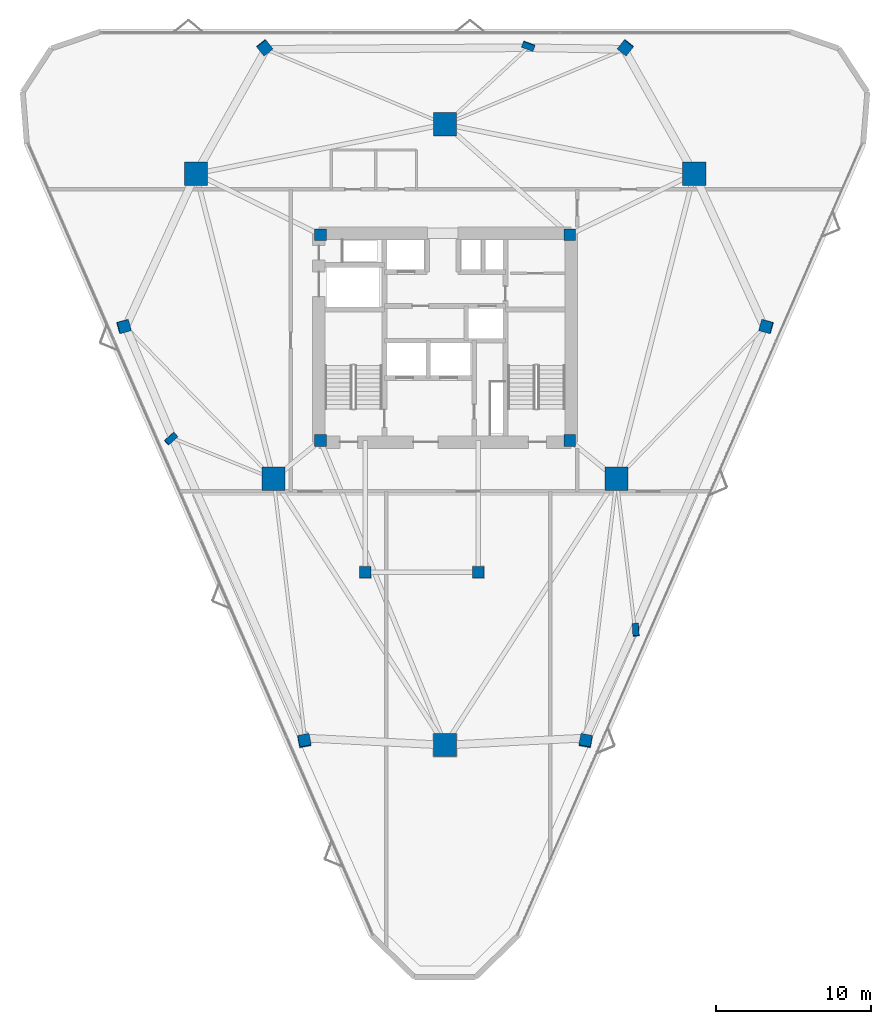
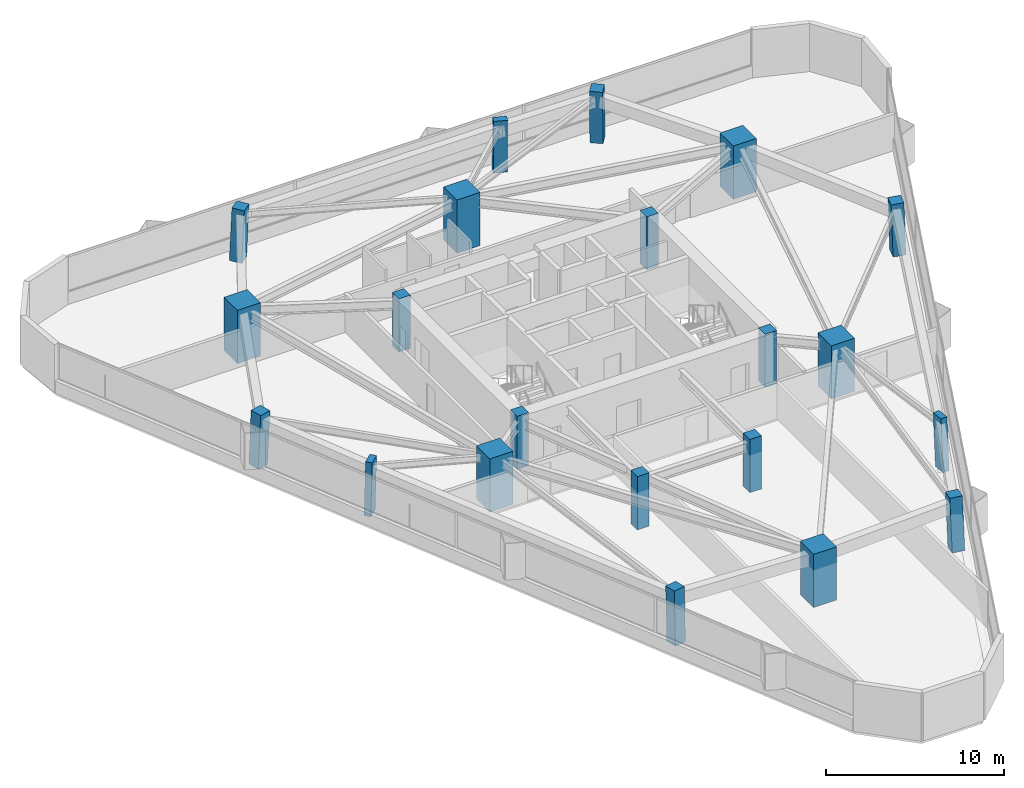
# One storey, part 1 of 13: 21 columns.
"""IFC4 building model written with IfcOpenShell, lengths in metres."""

from ifc_helpers import new_model, si_unit, direction, frame, origin, origin_2d, place, context, subcontext, project, spatial, rectangle, extrude, material, material_profile, profile_set, type_object, element, save


model = new_model("IFC4")

# Units and contexts
model_context = context("Model", 3, precision=1e-05, world=origin(), true_north=direction((0.0, 1.0)))
body_context = subcontext(model_context, "Body", "Model", "MODEL_VIEW")
ifc_project = project(units=[si_unit("LENGTHUNIT", "METRE"), si_unit("AREAUNIT", "SQUARE_METRE"), si_unit("VOLUMEUNIT", "CUBIC_METRE"), si_unit("PLANEANGLEUNIT", "RADIAN"), si_unit("MASSUNIT", "GRAM", prefix="KILO")], contexts=[model_context])

# Site, building, storey
site_placement = place(None, origin())
site = spatial("IfcSite", under=ifc_project, at=site_placement, CompositionType="ELEMENT")
building_placement = place(site_placement, origin())
building = spatial("IfcBuilding", under=site, at=building_placement, Name="Talyreon Biosciences Tower", CompositionType="ELEMENT")
storey_placement = place(building_placement, frame((0.0, 0.0, 167.35009765625)))
storey = spatial("IfcBuildingStorey", under=building, at=storey_placement, Name="L44", CompositionType="ELEMENT", Elevation=167.35009765625)

# Columns
ifc_material_1 = material(Name="Precast concrete C45/55", Category="concrete")
ifc_material_profile_1 = material_profile(ifc_material_1, rectangle(XDim=0.800048828125, YDim=0.39990234375, at=origin_2d()), Name="RC 800x400")
ifc_profile_set_1 = profile_set([ifc_material_profile_1], Name="Precast concrete C45/55")
column_type_1 = type_object("IfcColumnType", Name="FacadePilaster_800x400", PredefinedType="PILASTER", material=ifc_profile_set_1)
column_1_placement = place(storey_placement, frame((78.335693359375, 49.098388671875, 0.0029296875), z_axis=(-0.019612004119, 0.038286915892, 0.999074312234), x_axis=(0.062129065131, -0.997288632451, 0.039438088828)))
element("IfcColumn", 1, at=column_1_placement, inside=storey, type_object=column_type_1, Name="L44 Facade Pilaster PL-SE", PredefinedType="PILASTER", context=body_context, shape_type="SweptSolid", body=[
    extrude(rectangle(XDim=0.800048828125, YDim=0.39990234375, at=origin_2d()), origin(), (0.0, 0.0, 1.0), 3.6474609375),
])
column_2_placement = place(storey_placement, frame((71.387939453125, 86.85791015625, 0.0029296875), z_axis=(-0.01238655289, -0.033544124313, 0.999360478022), x_axis=(-0.9380871136, 0.346399433166, 0.0)))
element("IfcColumn", 2, at=column_2_placement, inside=storey, type_object=column_type_1, Name="L44 Facade Pilaster PL-N", PredefinedType="PILASTER", context=body_context, shape_type="SweptSolid", body=[
    extrude(rectangle(XDim=0.800048828125, YDim=0.39990234375, at=origin_2d()), origin(), (0.0, 0.0, 1.0), 3.646484375),
])
column_3_placement = place(storey_placement, frame((48.2763671875, 61.467041015625, 0.0029296875), z_axis=(0.032006476949, 0.010512587617, 0.999432374368), x_axis=(0.745889876481, 0.665352826021, -0.030885418374)))
element("IfcColumn", 3, at=column_3_placement, inside=storey, type_object=column_type_1, Name="L44 Facade Pilaster PL-SW", PredefinedType="PILASTER", context=body_context, shape_type="SweptSolid", body=[
    extrude(rectangle(XDim=0.800048828125, YDim=0.39990234375, at=origin_2d()), origin(), (0.0, 0.0, 1.0), 3.64599609375),
])
ifc_material_2 = material(Name="Concrete C60/75", Category="concrete")
ifc_material_profile_2 = material_profile(ifc_material_2, rectangle(XDim=1.5, YDim=1.5, at=origin_2d()), Name="RC 1500x1500")
ifc_profile_set_2 = profile_set([ifc_material_profile_2], Name="Concrete C60/75")
column_type_2 = type_object("IfcColumnType", Name="MegaColumn_1500", PredefinedType="COLUMN", material=ifc_profile_set_2)
for number, where, z_axis, x_axis, name in (
    (4, (66.0, 41.6669921875, 0.0), (0.0, 0.0, 1.0), (1.0, 0.0, 0.0), "L44 Composite Mega-Column MC1"),
    (5, (82.102294921875, 78.5986328125, 0.0), (0.0, 0.0, 1.0), (1.0, 0.0, 0.0), "L44 Composite Mega-Column MC2"),
    (6, (49.897705078125, 78.5986328125, 0.0), (0.0, 0.0, 1.0), (1.0, 0.0, 0.0), "L44 Composite Mega-Column MC3"),
    (7, (77.086181640625, 58.88037109375, 0.0), (0.0, 0.0, 1.0), (1.0, 0.0, 0.0), "L44 Composite Mega-Column MC4"),
    (8, (66.0, 81.788818359375, 0.0), (0.0, 0.0, 1.0), (1.0, 0.0, 0.0), "L44 Composite Mega-Column MC5"),
    (9, (54.913818359375, 58.88037109375, 0.0), (0.0, 0.0, 1.0), (1.0, 0.0, 0.0), "L44 Composite Mega-Column MC6"),
):
    element("IfcColumn", number, at=place(storey_placement, frame(where, z_axis=z_axis, x_axis=x_axis)), inside=storey, type_object=column_type_2, Name=name, PredefinedType="COLUMN", context=body_context, shape_type="SweptSolid", body=[
        extrude(rectangle(XDim=1.5, YDim=1.5, at=origin_2d()), origin(), (0.0, 0.0, 1.0), 3.64990234375),
    ])
ifc_material_3 = material(Name="Concrete C50/60", Category="concrete")
ifc_material_profile_3 = material_profile(ifc_material_3, rectangle(XDim=0.75, YDim=0.75, at=origin_2d()), Name="RC 750x750")
ifc_profile_set_3 = profile_set([ifc_material_profile_3], Name="Concrete C50/60")
column_type_3 = type_object("IfcColumnType", Name="PerimeterColumn_750", PredefinedType="COLUMN", material=ifc_profile_set_3)
for number, where, z_axis, x_axis, name in (
    (10, (57.949951171875, 61.35009765625, 0.0), (0.0, 0.0, 1.0), (1.0, 0.0, 0.0), "L44 Core Column CC1"),
    (11, (74.050048828125, 61.35009765625, 0.0), (0.0, 0.0, 1.0), (1.0, 0.0, 0.0), "L44 Core Column CC2"),
    (12, (74.050048828125, 74.64990234375, 0.0), (0.0, 0.0, 1.0), (1.0, 0.0, 0.0), "L44 Core Column CC3"),
    (13, (57.949951171875, 74.64990234375, 0.0), (0.0, 0.0, 1.0), (1.0, 0.0, 0.0), "L44 Core Column CC4"),
    (14, (60.85009765625, 52.840087890625, 0.0), (0.0, 0.0, 1.0), (1.0, 0.0, 0.0), "L44 Core Column CSW"),
    (15, (68.14990234375, 52.840087890625, 0.0), (0.0, 0.0, 1.0), (1.0, 0.0, 0.0), "L44 Core Column CSE"),
):
    element("IfcColumn", number, at=place(storey_placement, frame(where, z_axis=z_axis, x_axis=x_axis)), inside=storey, type_object=column_type_3, Name=name, PredefinedType="COLUMN", context=body_context, shape_type="SweptSolid", body=[
        extrude(rectangle(XDim=0.75, YDim=0.75, at=origin_2d()), origin(), (0.0, 0.0, 1.0), 3.64990234375),
    ])
column_4_placement = place(storey_placement, frame((75.10107421875, 41.923095703125, 0.0029296875), z_axis=(-0.012375096162, 0.054517315524, 0.998436136818), x_axis=(-0.18684017113, -0.981052469928, 0.051252333601)))
element("IfcColumn", 16, at=column_4_placement, inside=storey, type_object=column_type_3, Name="L44 Tapering Perimeter Column PC-SE1", PredefinedType="COLUMN", context=body_context, shape_type="SweptSolid", body=[
    extrude(rectangle(XDim=0.75, YDim=0.75, at=origin_2d()), origin(), (0.0, 0.0, 1.0), 3.649658203125),
])
column_5_placement = place(storey_placement, frame((86.77490234375, 68.721923828125, 0.0029296875), z_axis=(-0.039229493406, -0.00569028488, 0.999214024874), x_axis=(0.963909952428, -0.263736415769, 0.03634152732)))
element("IfcColumn", 17, at=column_5_placement, inside=storey, type_object=column_type_3, Name="L44 Tapering Perimeter Column PC-SE2", PredefinedType="COLUMN", context=body_context, shape_type="SweptSolid", body=[
    extrude(rectangle(XDim=0.75, YDim=0.75, at=origin_2d()), origin(), (0.0, 0.0, 1.0), 3.64697265625),
])
for number, where, z_axis, x_axis, name in (
    (18, (77.674072265625, 86.758056640625, 0.0029296875), (-0.026907963191, -0.033534551141, 0.999075270136), (-0.779956681152, 0.625833504637, 0.0), "L44 Tapering Perimeter Column PC-N1"),
    (19, (54.325927734375, 86.758056640625, 0.0029296875), (0.026907963191, -0.033534551141, 0.999075270136), (-0.779956681152, -0.625833504637, 0.0), "L44 Tapering Perimeter Column PC-N2"),
):
    element("IfcColumn", number, at=place(storey_placement, frame(where, z_axis=z_axis, x_axis=x_axis)), inside=storey, type_object=column_type_3, Name=name, PredefinedType="COLUMN", context=body_context, shape_type="SweptSolid", body=[
        extrude(rectangle(XDim=0.75, YDim=0.75, at=origin_2d()), origin(), (0.0, 0.0, 1.0), 3.6474609375),
    ])
column_6_placement = place(storey_placement, frame((45.22509765625, 68.721923828125, 0.0029296875), z_axis=(0.039229493406, -0.00569028488, 0.999214024874), x_axis=(0.963909952428, 0.263736415769, -0.03634152732)))
element("IfcColumn", 20, at=column_6_placement, inside=storey, type_object=column_type_3, Name="L44 Tapering Perimeter Column PC-SW1", PredefinedType="COLUMN", context=body_context, shape_type="SweptSolid", body=[
    extrude(rectangle(XDim=0.75, YDim=0.75, at=origin_2d()), origin(), (0.0, 0.0, 1.0), 3.64697265625),
])
column_7_placement = place(storey_placement, frame((56.89892578125, 41.923095703125, 0.0029296875), z_axis=(0.012375096162, 0.054517315524, 0.998436136818), x_axis=(-0.18684017113, 0.981052469928, -0.051252333601)))
element("IfcColumn", 21, at=column_7_placement, inside=storey, type_object=column_type_3, Name="L44 Tapering Perimeter Column PC-SW2", PredefinedType="COLUMN", context=body_context, shape_type="SweptSolid", body=[
    extrude(rectangle(XDim=0.75, YDim=0.75, at=origin_2d()), origin(), (0.0, 0.0, 1.0), 3.649658203125),
])

save(model, "model.ifc")
